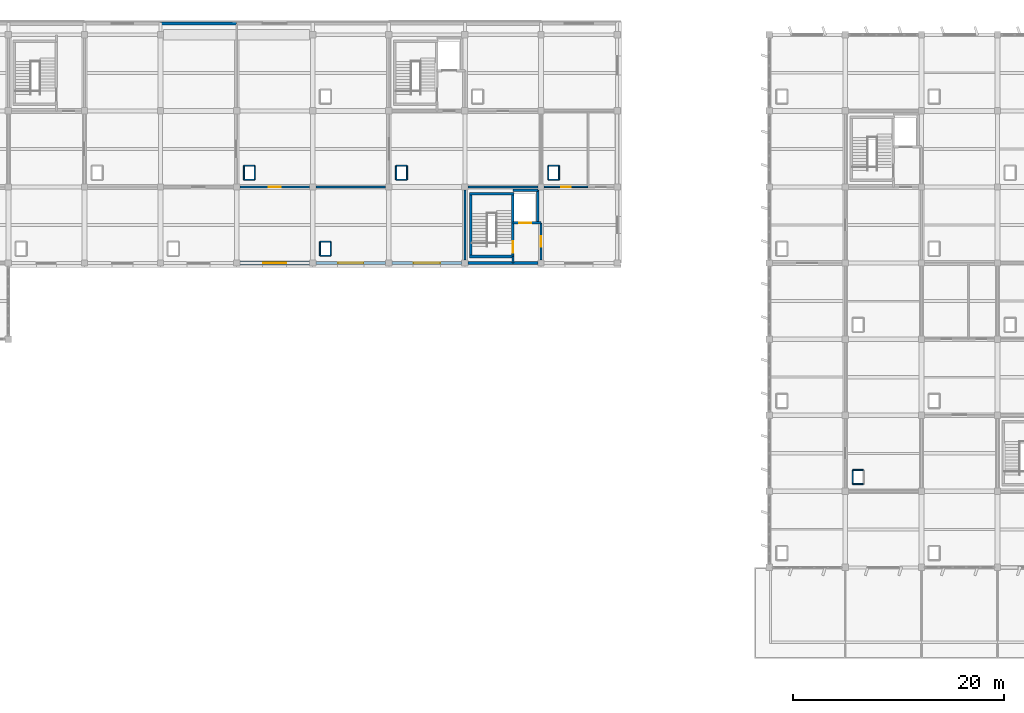
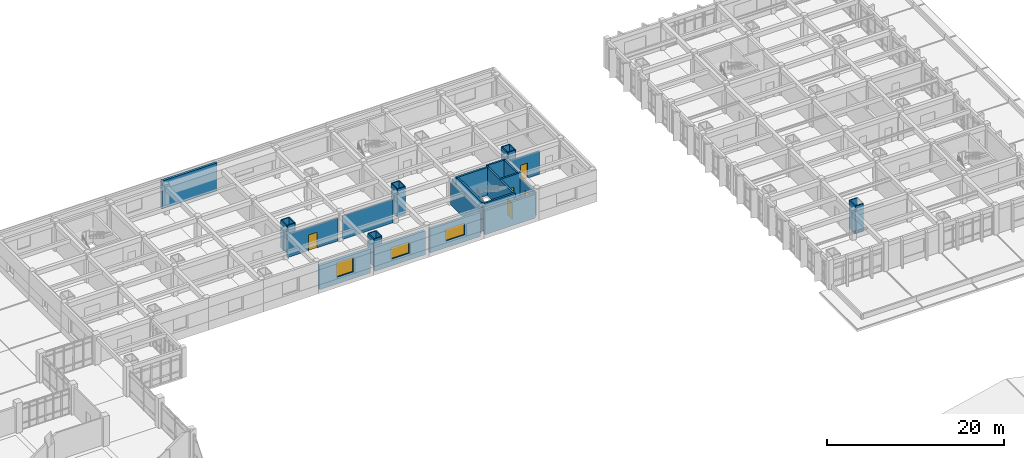
# One storey, part 53 of 62: 38 walls, 5 doors, 3 windows, 8 openings.
"""IFC4 building model written with IfcOpenShell, lengths in metres."""

from ifc_helpers import new_model, si_unit, direction, frame, frame_2d, origin, place, context, subcontext, project, spatial, rectangle, extrude, material, layer, layer_set, type_object, element, fill, save


model = new_model("IFC4")

# Units and contexts
model_context = context("Model", 3, precision=1e-05, world=origin(), true_north=direction((0.0, 1.0)))
body_context = subcontext(model_context, "Body", "Model", "MODEL_VIEW")
ifc_project = project(units=[si_unit("LENGTHUNIT", "METRE"), si_unit("AREAUNIT", "SQUARE_METRE"), si_unit("VOLUMEUNIT", "CUBIC_METRE"), si_unit("PLANEANGLEUNIT", "RADIAN"), si_unit("MASSUNIT", "GRAM", prefix="KILO")], contexts=[model_context])

# Site, building, storey
site_placement = place(None, origin())
site = spatial("IfcSite", under=ifc_project, at=site_placement, CompositionType="ELEMENT")
building_placement = place(site_placement, origin())
building = spatial("IfcBuilding", under=site, at=building_placement, Name="Kavelor Marine Aquarium", CompositionType="ELEMENT")
storey_placement = place(building_placement, frame((0.0, 0.0, 13.5)))
storey = spatial("IfcBuildingStorey", under=building, at=storey_placement, Name="L03", CompositionType="ELEMENT", Elevation=13.5)

# Wall, opening, window
ifc_material_1 = material(Name="Concrete C45/55", Category="concrete")
ifc_layer_1 = layer(ifc_material_1, 0.360107421875)
ifc_layer_set_1 = layer_set([ifc_layer_1], Name="WL-EX1")
wall_type_1 = type_object("IfcWallType", Name="WL-EX1", PredefinedType="STANDARD", material=ifc_layer_set_1)
wall_1_placement = place(storey_placement, frame((74.905029296875, 89.199951171875, 0.0), z_axis=(0.0, 0.0, 1.0), x_axis=(-1.0, 0.0, 0.0)))
wall_1 = element("IfcWall", 1, at=wall_1_placement, inside=storey, type_object=wall_type_1, Name="ew:x:L03:09_12", PredefinedType="STANDARD", context=body_context, shape_type="SweptSolid", body=[
    extrude(rectangle(XDim=6.610107421875, YDim=0.360107421875, at=frame_2d((3.30517578125, 0.0))), origin(), (0.0, 0.0, 1.0), 3.320068359375),
])
opening_1_placement = place(wall_1_placement, frame((2.205078125, 0.0, 0.949951171875)))
opening_1 = element("IfcOpeningElement", 2, at=opening_1_placement, cuts=wall_1, Name="Opening W12", PredefinedType="OPENING", context=body_context, shape_type="SweptSolid", body=[
    extrude(rectangle(XDim=2.199951171875, YDim=2.0, at=frame_2d((1.10009765625, 1.0))), frame((0.0, 0.18994140625, 0.0), z_axis=(0.0, -1.0, 0.0), x_axis=(1.0, 0.0, 0.0)), (0.0, 0.0, 1.0), 0.380107),
])
ifc_material_2 = material(Name="Anodised Aluminium Frame with Low-E Double Glazing", Category="aluminium")
window_type_1 = type_object("IfcWindowType", Name="WIN-W12", PartitioningType="DOUBLE_PANEL_VERTICAL", PredefinedType="WINDOW", material=ifc_material_2)
window_1_placement = place(opening_1_placement, origin())
window_1 = element("IfcWindow", 3, at=window_1_placement, inside=storey, type_object=window_type_1, Name="win:x:L03:09_12", OverallHeight=2.0, OverallWidth=2.199951171875, PartitioningType="SINGLE_PANEL", PredefinedType="WINDOW", context=body_context, shape_type="SweptSolid", body=[
    extrude(rectangle(XDim=2.199951171875, YDim=2.0, at=frame_2d((1.10009765625, 1.0))), frame((0.0, 0.030029296875, 0.0), z_axis=(0.0, -1.0, 0.0), x_axis=(1.0, 0.0, 0.0)), (0.0, 0.0, 1.0), 0.06005859375),
])
fill(opening_1, window_1)

ifc_material_3 = material(Name="Concrete C45/55", Category="concrete")
ifc_layer_2 = layer(ifc_material_3, 0.320068359375)
ifc_layer_set_2 = layer_set([ifc_layer_2], Name="WL-EX2")
wall_type_2 = type_object("IfcWallType", Name="WL-EX2", PredefinedType="STANDARD", material=ifc_layer_set_2)
wall_2_placement = place(storey_placement, frame((82.10498046875, 89.199951171875, 0.0), z_axis=(0.0, 0.0, 1.0), x_axis=(-1.0, 0.0, 0.0)))
wall_2 = element("IfcWall", 4, at=wall_2_placement, inside=storey, type_object=wall_type_2, Name="ew:x:L03:10_12", PredefinedType="STANDARD", context=body_context, shape_type="SweptSolid", body=[
    extrude(rectangle(XDim=6.60986328125, YDim=0.320068359375, at=frame_2d((3.304931640625, 0.0))), origin(), (0.0, 0.0, 1.0), 3.300048828125),
])
opening_2_placement = place(wall_2_placement, frame((2.10498046875, 0.0, 0.949951171875)))
opening_2 = element("IfcOpeningElement", 5, at=opening_2_placement, cuts=wall_2, Name="Opening W14", PredefinedType="OPENING", context=body_context, shape_type="SweptSolid", body=[
    extrude(rectangle(XDim=2.39990234375, YDim=1.550048828125, at=frame_2d((1.199951171875, 0.77490234375))), frame((0.0, 0.169921875, 0.0), z_axis=(0.0, -1.0, 0.0), x_axis=(1.0, 0.0, 0.0)), (0.0, 0.0, 1.0), 0.340068),
])
ifc_material_4 = material(Name="Anodised Aluminium Frame with Low-E Double Glazing", Category="aluminium")
window_type_2 = type_object("IfcWindowType", Name="WIN-W14", PartitioningType="DOUBLE_PANEL_VERTICAL", PredefinedType="WINDOW", material=ifc_material_4)
window_2_placement = place(opening_2_placement, origin())
window_2 = element("IfcWindow", 6, at=window_2_placement, inside=storey, type_object=window_type_2, Name="win:x:L03:10_12", OverallHeight=1.550048828125, OverallWidth=2.39990234375, PartitioningType="SINGLE_PANEL", PredefinedType="WINDOW", context=body_context, shape_type="SweptSolid", body=[
    extrude(rectangle(XDim=2.39990234375, YDim=1.550048828125, at=frame_2d((1.199951171875, 0.77490234375))), frame((0.0, 0.030029296875, 0.0), z_axis=(0.0, -1.0, 0.0), x_axis=(1.0, 0.0, 0.0)), (0.0, 0.0, 1.0), 0.06005859375),
])
fill(opening_2, window_2)

# Wall
ifc_material_5 = material(Name="Concrete C40/50", Category="concrete")
ifc_layer_3 = layer(ifc_material_5, 0.300048828125)
ifc_layer_set_3 = layer_set([ifc_layer_3], Name="WL-EX3")
wall_type_3 = type_object("IfcWallType", Name="WL-EX3", PredefinedType="STANDARD", material=ifc_layer_set_3)
wall_3_placement = place(storey_placement, frame((60.800048828125, 111.8798828125, 0.0), z_axis=(0.0, 0.0, 1.0), x_axis=(1.0, 0.0, 0.0)))
element("IfcWall", 7, at=wall_3_placement, inside=storey, type_object=wall_type_3, Name="ew:x:L03:08_15", PredefinedType="STANDARD", context=body_context, shape_type="SweptSolid", body=[
    extrude(rectangle(XDim=7.199951171875, YDim=0.300048828125, at=frame_2d((3.60009765625, 0.0))), origin(), (0.0, 0.0, 1.0), 3.85009765625),
])

# Wall, opening, window
wall_4_placement = place(storey_placement, frame((89.304931640625, 89.199951171875, 0.0), z_axis=(0.0, 0.0, 1.0), x_axis=(-1.0, 0.0, 0.0)))
wall_4 = element("IfcWall", 8, at=wall_4_placement, inside=storey, type_object=wall_type_3, Name="ew:x:L03:11_12", PredefinedType="STANDARD", context=body_context, shape_type="SweptSolid", body=[
    extrude(rectangle(XDim=6.60986328125, YDim=0.300048828125, at=frame_2d((3.304931640625, 0.0))), origin(), (0.0, 0.0, 1.0), 3.320068359375),
])
opening_3_placement = place(wall_4_placement, frame((2.054931640625, 0.0, 0.949951171875)))
opening_3 = element("IfcOpeningElement", 9, at=opening_3_placement, cuts=wall_4, Name="Opening W15", PredefinedType="OPENING", context=body_context, shape_type="SweptSolid", body=[
    extrude(rectangle(XDim=2.5, YDim=1.60009765625, at=frame_2d((1.25, 0.800048828125))), frame((0.0, 0.159912109375, 0.0), z_axis=(0.0, -1.0, 0.0), x_axis=(1.0, 0.0, 0.0)), (0.0, 0.0, 1.0), 0.320049),
])
ifc_material_6 = material(Name="Anodised Aluminium Frame with Low-E Double Glazing", Category="aluminium")
window_type_3 = type_object("IfcWindowType", Name="WIN-W15", PartitioningType="DOUBLE_PANEL_VERTICAL", PredefinedType="WINDOW", material=ifc_material_6)
window_3_placement = place(opening_3_placement, origin())
window_3 = element("IfcWindow", 10, at=window_3_placement, inside=storey, type_object=window_type_3, Name="win:x:L03:11_12", OverallHeight=1.60009765625, OverallWidth=2.5, PartitioningType="SINGLE_PANEL", PredefinedType="WINDOW", context=body_context, shape_type="SweptSolid", body=[
    extrude(rectangle(XDim=2.5, YDim=1.60009765625, at=frame_2d((1.25, 0.800048828125))), frame((0.0, 0.030029296875, 0.0), z_axis=(0.0, -1.0, 0.0), x_axis=(1.0, 0.0, 0.0)), (0.0, 0.0, 1.0), 0.06005859375),
])
fill(opening_3, window_3)

# Walls
ifc_material_7 = material(Name="Concrete C40/50", Category="concrete")
ifc_layer_4 = layer(ifc_material_7, 0.280029296875)
ifc_layer_set_4 = layer_set([ifc_layer_4], Name="WL-EX4")
wall_type_4 = type_object("IfcWallType", Name="WL-EX4", PredefinedType="STANDARD", material=ifc_layer_set_4)
wall_5_placement = place(storey_placement, frame((96.5048828125, 89.199951171875, 0.0), z_axis=(0.0, 0.0, 1.0), x_axis=(-1.0, 0.0, 0.0)))
element("IfcWall", 11, at=wall_5_placement, inside=storey, type_object=wall_type_4, Name="ew:x:L03:12_12", PredefinedType="STANDARD", context=body_context, shape_type="SweptSolid", body=[
    extrude(rectangle(XDim=6.60986328125, YDim=0.280029296875, at=frame_2d((3.304931640625, 0.0))), origin(), (0.0, 0.0, 1.0), 3.300048828125),
])
ifc_material_8 = material(Name="Concrete Blockwork Partition", Category="masonry")
ifc_layer_5 = layer(ifc_material_8, 0.199951171875)
ifc_layer_set_5 = layer_set([ifc_layer_5], Name="WL-PT1")
wall_type_5 = type_object("IfcWallType", Name="WL-PT1", PredefinedType="PARTITIONING", material=ifc_layer_set_5)
wall_6_placement = place(storey_placement, frame((94.139892578125, 89.199951171875, 0.0), z_axis=(0.0, 0.0, 1.0), x_axis=(0.0, 1.0, 0.0)))
element("IfcWall", 12, at=wall_6_placement, inside=storey, type_object=wall_type_5, Name="pt:st_close:s:C07:L03", PredefinedType="PARTITIONING", context=body_context, shape_type="SweptSolid", body=[
    extrude(rectangle(XDim=0.6201171875, YDim=0.199951171875, at=frame_2d((0.31005859375, 0.0))), origin(), (0.0, 0.0, 1.0), 3.300048828125),
])
wall_7_placement = place(storey_placement, frame((89.60009765625, 89.5, 0.0), z_axis=(0.0, 0.0, 1.0), x_axis=(0.0, 1.0, 0.0)))
element("IfcWall", 13, at=wall_7_placement, inside=storey, type_object=wall_type_5, Name="pt:lob:C07:L03:w", PredefinedType="PARTITIONING", context=body_context, shape_type="SweptSolid", body=[
    extrude(rectangle(XDim=6.60009765625, YDim=0.199951171875, at=frame_2d((3.300048828125, 0.0))), origin(), (0.0, 0.0, 1.0), 3.199951171875),
])

# Wall, opening, door
wall_8_placement = place(storey_placement, frame((96.800048828125, 89.5, 0.0), z_axis=(0.0, 0.0, 1.0), x_axis=(0.0, 1.0, 0.0)))
wall_8 = element("IfcWall", 14, at=wall_8_placement, inside=storey, type_object=wall_type_5, Name="pt:lob:C07:L03:e", PredefinedType="PARTITIONING", context=body_context, shape_type="SweptSolid", body=[
    extrude(rectangle(XDim=3.5, YDim=0.199951171875, at=frame_2d((1.75, 0.0))), origin(), (0.0, 0.0, 1.0), 3.199951171875),
])
opening_4_placement = place(wall_8_placement, frame((1.239990234375, 0.0, 0.0)))
opening_4 = element("IfcOpeningElement", 15, at=opening_4_placement, cuts=wall_8, Name="Opening SD1", PredefinedType="OPENING", context=body_context, shape_type="SweptSolid", body=[
    extrude(rectangle(XDim=1.02001953125, YDim=2.14990234375, at=frame_2d((0.510009765625, 1.074951171875))), frame((0.0, 0.10986328125, 0.0), z_axis=(0.0, -1.0, 0.0), x_axis=(1.0, 0.0, 0.0)), (0.0, 0.0, 1.0), 0.219951),
])
ifc_material_9 = material(Name="Fire-Rated Corridor Compartment Door")
door_type_1 = type_object("IfcDoorType", Name="DR-SD1", OperationType="NOTDEFINED", PredefinedType="DOOR", material=ifc_material_9)
door_1_placement = place(opening_4_placement, origin())
door_1 = element("IfcDoor", 16, at=door_1_placement, inside=storey, type_object=door_type_1, Name="Core Lobby Fire Door C07-L03", OperationType="SINGLE_SWING_RIGHT", OverallHeight=2.14990234375, OverallWidth=1.02001953125, PredefinedType="DOOR", context=body_context, shape_type="SweptSolid", body=[
    extrude(rectangle(XDim=1.02001953125, YDim=2.14990234375, at=frame_2d((0.510009765625, 1.074951171875))), frame((0.0, 0.02490234375, 0.0), z_axis=(0.0, -1.0, 0.0), x_axis=(1.0, 0.0, 0.0)), (0.0, 0.0, 1.0), 0.050048828125),
])
fill(opening_4, door_1)

# Wall
wall_9_placement = place(storey_placement, frame((89.89990234375, 96.39990234375, 0.0), z_axis=(0.0, 0.0, 1.0), x_axis=(1.0, 0.0, 0.0)))
element("IfcWall", 17, at=wall_9_placement, inside=storey, type_object=wall_type_5, Name="pt:lob:C07:L03:n_full", PredefinedType="PARTITIONING", context=body_context, shape_type="SweptSolid", body=[
    extrude(rectangle(XDim=6.60009765625, YDim=0.199951171875, at=frame_2d((3.300048828125, 0.0))), origin(), (0.0, 0.0, 1.0), 3.25),
])

# Wall, opening, door
ifc_material_10 = material(Name="Acoustic Gypsum Stud Partition")
ifc_layer_6 = layer(ifc_material_10, 0.159912109375)
ifc_layer_set_6 = layer_set([ifc_layer_6], Name="WL-PT2")
wall_type_6 = type_object("IfcWallType", Name="WL-PT2", PredefinedType="PARTITIONING", material=ifc_layer_set_6)
wall_10_placement = place(storey_placement, frame((68.300048828125, 96.39990234375, 0.0), z_axis=(0.0, 0.0, 1.0), x_axis=(1.0, 0.0, 0.0)))
wall_10 = element("IfcWall", 18, at=wall_10_placement, inside=storey, type_object=wall_type_6, Name="pt:x:L03:09_12", PredefinedType="PARTITIONING", context=body_context, shape_type="SweptSolid", body=[
    extrude(rectangle(XDim=6.599853515625, YDim=0.159912109375, at=frame_2d((3.2998046875, 0.0))), origin(), (0.0, 0.0, 1.0), 3.219970703125),
])
opening_5_placement = place(wall_10_placement, frame((2.719970703125, 0.0, 0.0)))
opening_5 = element("IfcOpeningElement", 19, at=opening_5_placement, cuts=wall_10, Name="Opening D09", PredefinedType="OPENING", context=body_context, shape_type="SweptSolid", body=[
    extrude(rectangle(XDim=1.159912109375, YDim=2.179931640625, at=frame_2d((0.580078125, 1.08984375))), frame((0.0, 0.08984375, 0.0), z_axis=(0.0, -1.0, 0.0), x_axis=(1.0, 0.0, 0.0)), (0.0, 0.0, 1.0), 0.179912),
])
ifc_material_11 = material(Name="Husbandry Prep Marine Door")
door_type_2 = type_object("IfcDoorType", Name="DR-D09", OperationType="NOTDEFINED", PredefinedType="DOOR", material=ifc_material_11)
door_2_placement = place(opening_5_placement, origin())
door_2 = element("IfcDoor", 20, at=door_2_placement, inside=storey, type_object=door_type_2, Name="dr:rm:pt:x:L03:09_12:0", OperationType="SINGLE_SWING_LEFT", OverallHeight=2.179931640625, OverallWidth=1.159912109375, PredefinedType="DOOR", context=body_context, shape_type="SweptSolid", body=[
    extrude(rectangle(XDim=1.159912109375, YDim=2.179931640625, at=frame_2d((0.580078125, 1.08984375))), frame((0.0, 0.02490234375, 0.0), z_axis=(0.0, -1.0, 0.0), x_axis=(1.0, 0.0, 0.0)), (0.0, 0.0, 1.0), 0.050048828125),
])
fill(opening_5, door_2)

# Wall
wall_11_placement = place(storey_placement, frame((75.5, 96.39990234375, 0.0), z_axis=(0.0, 0.0, 1.0), x_axis=(1.0, 0.0, 0.0)))
element("IfcWall", 21, at=wall_11_placement, inside=storey, type_object=wall_type_6, Name="pt:x:L03:10_12", PredefinedType="PARTITIONING", context=body_context, shape_type="SweptSolid", body=[
    extrude(rectangle(XDim=6.60009765625, YDim=0.159912109375, at=frame_2d((3.300048828125, 0.0))), origin(), (0.0, 0.0, 1.0), 3.25),
])

# Wall, opening, door
ifc_material_12 = material(Name="Moisture-Resistant Marine Partition")
ifc_layer_7 = layer(ifc_material_12, 0.139892578125)
ifc_layer_set_7 = layer_set([ifc_layer_7], Name="WL-PT3")
wall_type_7 = type_object("IfcWallType", Name="WL-PT3", PredefinedType="PARTITIONING", material=ifc_layer_set_7)
wall_12_placement = place(storey_placement, frame((97.10009765625, 96.39990234375, 0.0), z_axis=(0.0, 0.0, 1.0), x_axis=(1.0, 0.0, 0.0)))
wall_12 = element("IfcWall", 22, at=wall_12_placement, inside=storey, type_object=wall_type_7, Name="pt:san:f1:L03:13_13", PredefinedType="PARTITIONING", context=body_context, shape_type="SweptSolid", body=[
    extrude(rectangle(XDim=4.14990234375, YDim=0.139892578125, at=frame_2d((2.074951171875, 0.0))), origin(), (0.0, 0.0, 1.0), 3.219970703125),
])
opening_6_placement = place(wall_12_placement, frame((1.614990234375, 0.0, 0.0)))
opening_6 = element("IfcOpeningElement", 23, at=opening_6_placement, cuts=wall_12, Name="Opening D02", PredefinedType="OPENING", context=body_context, shape_type="SweptSolid", body=[
    extrude(rectangle(XDim=0.919921875, YDim=2.080078125, at=frame_2d((0.4599609375, 1.0400390625))), frame((0.0, 0.079833984375, 0.0), z_axis=(0.0, -1.0, 0.0), x_axis=(1.0, 0.0, 0.0)), (0.0, 0.0, 1.0), 0.159893),
])
ifc_material_13 = material(Name="Moisture-Resistant Laminate Sanitary Door")
door_type_3 = type_object("IfcDoorType", Name="DR-D02", OperationType="NOTDEFINED", PredefinedType="DOOR", material=ifc_material_13)
door_3_placement = place(opening_6_placement, origin())
door_3 = element("IfcDoor", 24, at=door_3_placement, inside=storey, type_object=door_type_3, Name="dr:wc:L03:13_13", OperationType="SINGLE_SWING_LEFT", OverallHeight=2.080078125, OverallWidth=0.919921875, PredefinedType="DOOR", context=body_context, shape_type="SweptSolid", body=[
    extrude(rectangle(XDim=0.919921875, YDim=2.080078125, at=frame_2d((0.4599609375, 1.0400390625))), frame((0.0, 0.02490234375, 0.0), z_axis=(0.0, -1.0, 0.0), x_axis=(1.0, 0.0, 0.0)), (0.0, 0.0, 1.0), 0.050048828125),
])
fill(opening_6, door_3)

# Walls
ifc_material_14 = material(Name="Lightweight Drywall Partition")
ifc_layer_8 = layer(ifc_material_14, 0.1201171875)
ifc_layer_set_8 = layer_set([ifc_layer_8], Name="WL-PT4")
wall_type_8 = type_object("IfcWallType", Name="WL-PT4", PredefinedType="PARTITIONING", material=ifc_layer_set_8)
for number, where, z_axis, x_axis, name in (
    (25, (68.68994140625, 97.090087890625, 0.0), (0.0, 0.0, 1.0), (1.0, 0.0, 0.0), "riser:s:L03:09_13"),
    (26, (68.68994140625, 98.409912109375, 0.0), (0.0, 0.0, 1.0), (1.0, 0.0, 0.0), "riser:n:L03:09_13"),
):
    element("IfcWall", number, at=place(storey_placement, frame(where, z_axis=z_axis, x_axis=x_axis)), inside=storey, type_object=wall_type_8, Name=name, PredefinedType="PARTITIONING", context=body_context, shape_type="SweptSolid", body=[
        extrude(rectangle(XDim=1.02001953125, YDim=0.1201171875, at=frame_2d((0.510009765625, 0.0))), origin(), (0.0, 0.0, 1.0), 3.860107421875),
    ])
for number, where, z_axis, x_axis, name in (
    (27, (68.68994140625, 97.090087890625, 0.0), (0.0, 0.0, 1.0), (0.0, 1.0, 0.0), "riser:w:L03:09_13"),
    (28, (69.7099609375, 97.090087890625, 0.0), (0.0, 0.0, 1.0), (0.0, 1.0, 0.0), "riser:e:L03:09_13"),
):
    element("IfcWall", number, at=place(storey_placement, frame(where, z_axis=z_axis, x_axis=x_axis)), inside=storey, type_object=wall_type_8, Name=name, PredefinedType="PARTITIONING", context=body_context, shape_type="SweptSolid", body=[
        extrude(rectangle(XDim=1.31982421875, YDim=0.1201171875, at=frame_2d((0.659912109375, 0.0))), origin(), (0.0, 0.0, 1.0), 3.860107421875),
    ])
for number, where, z_axis, x_axis, name in (
    (29, (75.889892578125, 89.889892578125, 0.0), (0.0, 0.0, 1.0), (1.0, 0.0, 0.0), "riser:s:L03:10_12"),
    (30, (75.889892578125, 91.2099609375, 0.0), (0.0, 0.0, 1.0), (1.0, 0.0, 0.0), "riser:n:L03:10_12"),
):
    element("IfcWall", number, at=place(storey_placement, frame(where, z_axis=z_axis, x_axis=x_axis)), inside=storey, type_object=wall_type_8, Name=name, PredefinedType="PARTITIONING", context=body_context, shape_type="SweptSolid", body=[
        extrude(rectangle(XDim=1.02001953125, YDim=0.1201171875, at=frame_2d((0.510009765625, 0.0))), origin(), (0.0, 0.0, 1.0), 3.840087890625),
    ])
for number, where, z_axis, x_axis, name in (
    (31, (75.889892578125, 89.889892578125, 0.0), (0.0, 0.0, 1.0), (0.0, 1.0, 0.0), "riser:w:L03:10_12"),
    (32, (76.909912109375, 89.889892578125, 0.0), (0.0, 0.0, 1.0), (0.0, 1.0, 0.0), "riser:e:L03:10_12"),
):
    element("IfcWall", number, at=place(storey_placement, frame(where, z_axis=z_axis, x_axis=x_axis)), inside=storey, type_object=wall_type_8, Name=name, PredefinedType="PARTITIONING", context=body_context, shape_type="SweptSolid", body=[
        extrude(rectangle(XDim=1.320068359375, YDim=0.1201171875, at=frame_2d((0.66015625, 0.0))), origin(), (0.0, 0.0, 1.0), 3.840087890625),
    ])
for number, where, z_axis, x_axis, name in (
    (33, (83.090087890625, 97.090087890625, 0.0), (0.0, 0.0, 1.0), (1.0, 0.0, 0.0), "riser:s:L03:11_13"),
    (34, (83.090087890625, 98.409912109375, 0.0), (0.0, 0.0, 1.0), (1.0, 0.0, 0.0), "riser:n:L03:11_13"),
):
    element("IfcWall", number, at=place(storey_placement, frame(where, z_axis=z_axis, x_axis=x_axis)), inside=storey, type_object=wall_type_8, Name=name, PredefinedType="PARTITIONING", context=body_context, shape_type="SweptSolid", body=[
        extrude(rectangle(XDim=1.02001953125, YDim=0.1201171875, at=frame_2d((0.510009765625, 0.0))), origin(), (0.0, 0.0, 1.0), 3.860107421875),
    ])
for number, where, z_axis, x_axis, name in (
    (35, (83.090087890625, 97.090087890625, 0.0), (0.0, 0.0, 1.0), (0.0, 1.0, 0.0), "riser:w:L03:11_13"),
    (36, (84.110107421875, 97.090087890625, 0.0), (0.0, 0.0, 1.0), (0.0, 1.0, 0.0), "riser:e:L03:11_13"),
):
    element("IfcWall", number, at=place(storey_placement, frame(where, z_axis=z_axis, x_axis=x_axis)), inside=storey, type_object=wall_type_8, Name=name, PredefinedType="PARTITIONING", context=body_context, shape_type="SweptSolid", body=[
        extrude(rectangle(XDim=1.31982421875, YDim=0.1201171875, at=frame_2d((0.659912109375, 0.0))), origin(), (0.0, 0.0, 1.0), 3.860107421875),
    ])
for number, where, z_axis, x_axis, name in (
    (37, (97.489990234375, 97.090087890625, 0.0), (0.0, 0.0, 1.0), (1.0, 0.0, 0.0), "riser:s:L03:13_13"),
    (38, (97.489990234375, 98.409912109375, 0.0), (0.0, 0.0, 1.0), (1.0, 0.0, 0.0), "riser:n:L03:13_13"),
):
    element("IfcWall", number, at=place(storey_placement, frame(where, z_axis=z_axis, x_axis=x_axis)), inside=storey, type_object=wall_type_8, Name=name, PredefinedType="PARTITIONING", context=body_context, shape_type="SweptSolid", body=[
        extrude(rectangle(XDim=1.02001953125, YDim=0.1201171875, at=frame_2d((0.510009765625, 0.0))), origin(), (0.0, 0.0, 1.0), 3.860107421875),
    ])
for number, where, z_axis, x_axis, name in (
    (39, (97.489990234375, 97.090087890625, 0.0), (0.0, 0.0, 1.0), (0.0, 1.0, 0.0), "riser:w:L03:13_13"),
    (40, (98.510009765625, 97.090087890625, 0.0), (0.0, 0.0, 1.0), (0.0, 1.0, 0.0), "riser:e:L03:13_13"),
):
    element("IfcWall", number, at=place(storey_placement, frame(where, z_axis=z_axis, x_axis=x_axis)), inside=storey, type_object=wall_type_8, Name=name, PredefinedType="PARTITIONING", context=body_context, shape_type="SweptSolid", body=[
        extrude(rectangle(XDim=1.31982421875, YDim=0.1201171875, at=frame_2d((0.659912109375, 0.0))), origin(), (0.0, 0.0, 1.0), 3.860107421875),
    ])
for number, where, z_axis, x_axis, name in (
    (41, (126.2900390625, 68.2900390625, 0.0), (0.0, 0.0, 1.0), (1.0, 0.0, 0.0), "riser:s:L03:17_09"),
    (42, (126.2900390625, 69.610107421875, 0.0), (0.0, 0.0, 1.0), (1.0, 0.0, 0.0), "riser:n:L03:17_09"),
):
    element("IfcWall", number, at=place(storey_placement, frame(where, z_axis=z_axis, x_axis=x_axis)), inside=storey, type_object=wall_type_8, Name=name, PredefinedType="PARTITIONING", context=body_context, shape_type="SweptSolid", body=[
        extrude(rectangle(XDim=1.02001953125, YDim=0.1201171875, at=frame_2d((0.510009765625, 0.0))), origin(), (0.0, 0.0, 1.0), 3.860107421875),
    ])
wall_13_placement = place(storey_placement, frame((126.2900390625, 68.2900390625, 0.0), z_axis=(0.0, 0.0, 1.0), x_axis=(0.0, 1.0, 0.0)))
element("IfcWall", 43, at=wall_13_placement, inside=storey, type_object=wall_type_8, Name="riser:w:L03:17_09", PredefinedType="PARTITIONING", context=body_context, shape_type="SweptSolid", body=[
    extrude(rectangle(XDim=1.320068359375, YDim=0.1201171875, at=frame_2d((0.66015625, 0.0))), origin(), (0.0, 0.0, 1.0), 3.860107421875),
])
ifc_material_15 = material(Name="Concrete C40/50", Category="concrete")
ifc_layer_9 = layer(ifc_material_15, 0.35009765625)
ifc_layer_set_9 = layer_set([ifc_layer_9], Name="WL-SW2")
wall_type_9 = type_object("IfcWallType", Name="WL-SW2", PredefinedType="SHEAR", material=ifc_layer_set_9)
for number, where, z_axis, x_axis, name in (
    (44, (90.02001953125, 89.820068359375, 0.0), (0.0, 0.0, 1.0), (1.0, 0.0, 0.0), "cw_st:s:C07:L03"),
    (45, (90.02001953125, 95.780029296875, 0.0), (0.0, 0.0, 1.0), (1.0, 0.0, 0.0), "cw_st:n:C07:L03"),
):
    element("IfcWall", number, at=place(storey_placement, frame(where, z_axis=z_axis, x_axis=x_axis)), inside=storey, type_object=wall_type_9, Name=name, PredefinedType="SHEAR", context=body_context, shape_type="SweptSolid", body=[
        extrude(rectangle(XDim=4.239990234375, YDim=0.239990234375, at=frame_2d((2.1201171875, 0.0))), origin(), (0.0, 0.0, 1.0), 3.860107421875),
    ])
wall_14_placement = place(storey_placement, frame((90.139892578125, 89.93994140625, 0.0), z_axis=(0.0, 0.0, 1.0), x_axis=(0.0, 1.0, 0.0)))
element("IfcWall", 46, at=wall_14_placement, inside=storey, type_object=wall_type_9, Name="cw_st:w:C07:L03", PredefinedType="SHEAR", context=body_context, shape_type="SweptSolid", body=[
    extrude(rectangle(XDim=5.719970703125, YDim=0.239990234375, at=frame_2d((2.85986328125, 0.0))), origin(), (0.0, 0.0, 1.0), 3.860107421875),
])

# Wall, opening, door
wall_15_placement = place(storey_placement, frame((94.139892578125, 89.93994140625, 0.0), z_axis=(0.0, 0.0, 1.0), x_axis=(0.0, 1.0, 0.0)))
wall_15 = element("IfcWall", 47, at=wall_15_placement, inside=storey, type_object=wall_type_9, Name="cw_st:e:C07:L03", PredefinedType="SHEAR", context=body_context, shape_type="SweptSolid", body=[
    extrude(rectangle(XDim=5.719970703125, YDim=0.239990234375, at=frame_2d((2.85986328125, 0.0))), origin(), (0.0, 0.0, 1.0), 3.860107421875),
])
opening_7_placement = place(wall_15_placement, frame((0.219970703125, 0.0, 0.0)))
opening_7 = element("IfcOpeningElement", 48, at=opening_7_placement, cuts=wall_15, Name="Opening FD1", PredefinedType="OPENING", context=body_context, shape_type="SweptSolid", body=[
    extrude(rectangle(XDim=1.1201171875, YDim=2.14990234375, at=frame_2d((0.56005859375, 1.074951171875))), frame((0.0, 0.1298828125, 0.0), z_axis=(0.0, -1.0, 0.0), x_axis=(1.0, 0.0, 0.0)), (0.0, 0.0, 1.0), 0.25999),
])
ifc_material_16 = material(Name="Fire-Rated Steel Stair and Core Door", Category="steel")
door_type_4 = type_object("IfcDoorType", Name="DR-FD1", OperationType="NOTDEFINED", PredefinedType="DOOR", material=ifc_material_16)
door_4_placement = place(opening_7_placement, origin())
door_4 = element("IfcDoor", 49, at=door_4_placement, inside=storey, type_object=door_type_4, Name="Stair Fire Door ST07-L03", OperationType="SINGLE_SWING_LEFT", OverallHeight=2.14990234375, OverallWidth=1.1201171875, PredefinedType="DOOR", context=body_context, shape_type="SweptSolid", body=[
    extrude(rectangle(XDim=1.1201171875, YDim=2.14990234375, at=frame_2d((0.56005859375, 1.074951171875))), frame((0.0, 0.02490234375, 0.0), z_axis=(0.0, -1.0, 0.0), x_axis=(1.0, 0.0, 0.0)), (0.0, 0.0, 1.0), 0.050048828125),
])
fill(opening_7, door_4)

wall_16_placement = place(storey_placement, frame((94.139892578125, 93.0, 0.0), z_axis=(0.0, 0.0, 1.0), x_axis=(1.0, 0.0, 0.0)))
wall_16 = element("IfcWall", 50, at=wall_16_placement, inside=storey, type_object=wall_type_9, Name="cw_lf:s:C07:L03", PredefinedType="SHEAR", context=body_context, shape_type="SweptSolid", body=[
    extrude(rectangle(XDim=2.66015625, YDim=0.219970703125, at=frame_2d((1.330078125, 0.0))), origin(), (0.0, 0.0, 1.0), 3.860107421875),
])
opening_8_placement = place(wall_16_placement, frame((0.610107421875, 0.0, 0.0)))
opening_8 = element("IfcOpeningElement", 51, at=opening_8_placement, cuts=wall_16, Name="Opening LD1", PredefinedType="OPENING", context=body_context, shape_type="SweptSolid", body=[
    extrude(rectangle(XDim=1.139892578125, YDim=2.14990234375, at=frame_2d((0.56982421875, 1.074951171875))), frame((0.0, 0.119873046875, 0.0), z_axis=(0.0, -1.0, 0.0), x_axis=(1.0, 0.0, 0.0)), (0.0, 0.0, 1.0), 0.239971),
])
ifc_material_17 = material(Name="Stainless Steel Lift Landing Sliding Door", Category="steel")
door_type_5 = type_object("IfcDoorType", Name="DR-LD1", OperationType="NOTDEFINED", PredefinedType="DOOR", material=ifc_material_17)
door_5_placement = place(opening_8_placement, origin())
door_5 = element("IfcDoor", 52, at=door_5_placement, inside=storey, type_object=door_type_5, Name="Lift Landing Sliding Door EL2-L03", OperationType="SLIDING_TO_LEFT", OverallHeight=2.14990234375, OverallWidth=1.139892578125, PredefinedType="DOOR", context=body_context, shape_type="SweptSolid", body=[
    extrude(rectangle(XDim=1.139892578125, YDim=2.14990234375, at=frame_2d((0.56982421875, 1.074951171875))), frame((0.0, 0.02490234375, 0.0), z_axis=(0.0, -1.0, 0.0), x_axis=(1.0, 0.0, 0.0)), (0.0, 0.0, 1.0), 0.050048828125),
])
fill(opening_8, door_5)

# Walls
wall_17_placement = place(storey_placement, frame((94.139892578125, 96.10009765625, 0.0), z_axis=(0.0, 0.0, 1.0), x_axis=(1.0, 0.0, 0.0)))
element("IfcWall", 53, at=wall_17_placement, inside=storey, type_object=wall_type_9, Name="cw_lf:n:C07:L03", PredefinedType="SHEAR", context=body_context, shape_type="SweptSolid", body=[
    extrude(rectangle(XDim=2.360107421875, YDim=0.219970703125, at=frame_2d((1.18017578125, 0.0))), origin(), (0.0, 0.0, 1.0), 3.860107421875),
])
wall_18_placement = place(storey_placement, frame((96.5, 93.0, 0.0), z_axis=(0.0, 0.0, 1.0), x_axis=(0.0, 1.0, 0.0)))
element("IfcWall", 54, at=wall_18_placement, inside=storey, type_object=wall_type_9, Name="cw_lf:e:C07:L03", PredefinedType="SHEAR", context=body_context, shape_type="SweptSolid", body=[
    extrude(rectangle(XDim=3.10009765625, YDim=0.219970703125, at=frame_2d((1.550048828125, 0.0))), origin(), (0.0, 0.0, 1.0), 3.860107421875),
])

save(model, "model.ifc")
